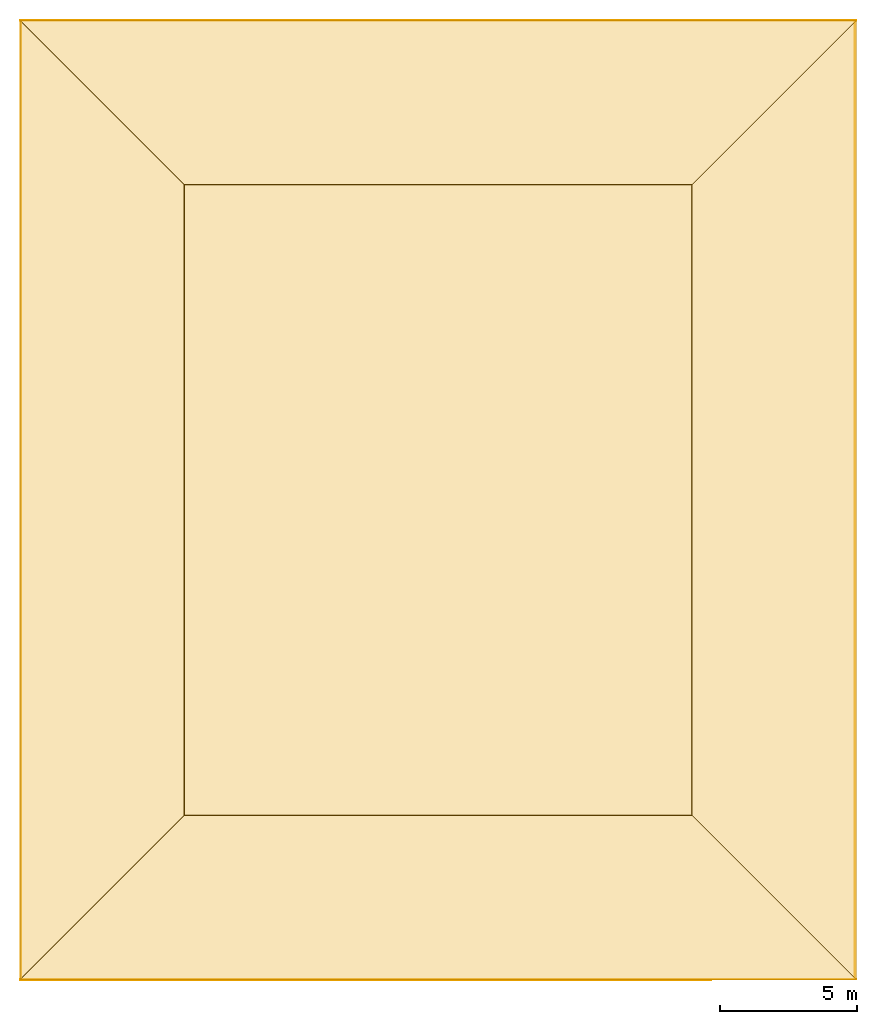
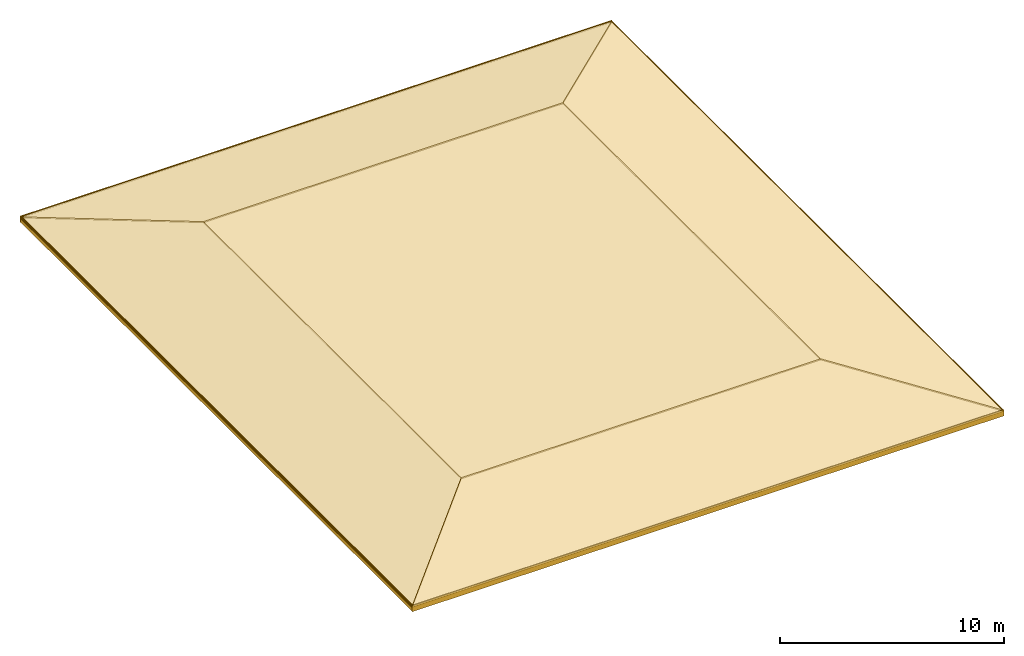
# One storey: 14 coverings.
"""IFC4 building model written with IfcOpenShell, lengths in metres."""

from ifc_helpers import new_model, si_unit, direction, frame, frame_2d, origin, place, context, subcontext, project, spatial, polyline, rectangle, outline, extrude, material, layer, layer_set, type_object, element, save


model = new_model("IFC4")

# Units and contexts
model_context = context("Model", 3, precision=1e-05, world=origin(), true_north=direction((0.0, 1.0)))
body_context = subcontext(model_context, "Body", "Model", "MODEL_VIEW")
ifc_project = project(units=[si_unit("LENGTHUNIT", "METRE"), si_unit("AREAUNIT", "SQUARE_METRE"), si_unit("VOLUMEUNIT", "CUBIC_METRE"), si_unit("PLANEANGLEUNIT", "RADIAN"), si_unit("MASSUNIT", "GRAM", prefix="KILO")], contexts=[model_context])

# Site, building, storey
site_placement = place(None, origin())
site = spatial("IfcSite", under=ifc_project, at=site_placement, CompositionType="ELEMENT")
building_placement = place(site_placement, origin())
building = spatial("IfcBuilding", under=site, at=building_placement, Name="Lantern Court Research Institute", CompositionType="ELEMENT")
storey_placement = place(building_placement, frame((0.0, 0.0, 48.0400390625)))
storey = spatial("IfcBuildingStorey", under=building, at=storey_placement, Name="Roof canopy", CompositionType="ELEMENT", Elevation=48.0400390625)

# Coverings
ifc_material_1 = material(Name="Anodised aluminium", Category="aluminium")
ifc_layer_1 = layer(ifc_material_1, 0.02001953125)
ifc_layer_set_1 = layer_set([ifc_layer_1], Name="Anodised aluminium")
covering_type_1 = type_object("IfcCoveringType", Name="Eaves soffit lining 20 aluminium", PredefinedType="CLADDING", material=ifc_layer_set_1)
covering_1_placement = place(storey_placement, frame((49.800048828125, -8.949951171875, -0.00146484375), z_axis=(0.0, -0.20791968542, 0.978145901394), x_axis=(1.0, 0.0, 0.0)))
element("IfcCovering", 1, at=covering_1_placement, inside=storey, type_object=covering_type_1, Name="Eaves soffit lining V5 1", PredefinedType="CLADDING", context=body_context, shape_type="SweptSolid", body=[
    extrude(outline(polyline([(0.0, 0.0), (30.550048828125, 0.0), (24.550048828125, 6.134054225904585), (6.0, 6.134054225904585), (0.0, 0.0)])), origin(), (0.0, 0.0, -1.0), 0.02001953125),
])
covering_2_placement = place(storey_placement, frame((49.800048828125, 26.10009765625, -0.00146484375), z_axis=(0.0, 0.20791968542, 0.978145901394), x_axis=(1.0, 0.0, 0.0)))
element("IfcCovering", 2, at=covering_2_placement, inside=storey, type_object=covering_type_1, Name="Eaves soffit lining V5 2", PredefinedType="CLADDING", context=body_context, shape_type="SweptSolid", body=[
    extrude(outline(polyline([(0.0, 0.0), (30.550048828125, 0.0), (24.550048828125, -6.134054225904585), (6.0, -6.134054225904585), (0.0, 0.0)])), origin(), (0.0, 0.0, -1.0), 0.02001953125),
])
covering_3_placement = place(storey_placement, frame((49.800048828125, -8.949951171875, -0.00146484375), z_axis=(-0.20791968542, 0.0, 0.978145901394), x_axis=(0.0, 1.0, 0.0)))
element("IfcCovering", 3, at=covering_3_placement, inside=storey, type_object=covering_type_1, Name="Eaves soffit lining V5 3", PredefinedType="CLADDING", context=body_context, shape_type="SweptSolid", body=[
    extrude(outline(polyline([(0.0, 0.0), (35.050048828125, 0.0), (29.050048828125, -6.134054225904585), (6.0, -6.134054225904585), (0.0, 0.0)])), origin(), (0.0, 0.0, -1.0), 0.02001953125),
])
covering_4_placement = place(storey_placement, frame((80.35009765625, -8.949951171875, -0.00146484375), z_axis=(0.20791968542, 0.0, 0.978145901394), x_axis=(0.0, 1.0, 0.0)))
element("IfcCovering", 4, at=covering_4_placement, inside=storey, type_object=covering_type_1, Name="Eaves soffit lining V5 4", PredefinedType="CLADDING", context=body_context, shape_type="SweptSolid", body=[
    extrude(outline(polyline([(0.0, 0.0), (35.050048828125, 0.0), (29.050048828125, 6.134054225904585), (6.0, 6.134054225904585), (0.0, 0.0)])), origin(), (0.0, 0.0, -1.0), 0.02001953125),
])
covering_5_placement = place(storey_placement, frame((55.800048828125, -2.949951171875, 1.27392578125), z_axis=(0.0, 0.0, 1.0), x_axis=(1.0, 0.0, 0.0)))
element("IfcCovering", 5, at=covering_5_placement, inside=storey, type_object=covering_type_1, Name="Eaves soffit lining V5 5", PredefinedType="CLADDING", context=body_context, shape_type="SweptSolid", body=[
    extrude(outline(polyline([(0.0, 0.0), (18.550048828125, 0.0), (18.550048828125, 23.050048828125), (0.0, 23.050048828125), (0.0, 0.0)])), origin(), (0.0, 0.0, -1.0), 0.02001953125),
])
ifc_material_2 = material(Name="Anodised aluminium", Category="aluminium")
ifc_layer_2 = layer(ifc_material_2, 0.06005859375)
ifc_layer_set_2 = layer_set([ifc_layer_2], Name="Anodised aluminium")
covering_type_2 = type_object("IfcCoveringType", Name="Parasol roof sheet 60 standing-seam aluminium", PredefinedType="ROOFING", material=ifc_layer_set_2)
covering_6_placement = place(storey_placement, frame((49.800048828125, -8.949951171875, 0.06005859375), z_axis=(0.0, -0.207881604704, 0.978153995251), x_axis=(1.0, 0.0, 0.0)))
element("IfcCovering", 6, at=covering_6_placement, inside=storey, type_object=covering_type_2, Name="Parasol roof sheet V5 1", PredefinedType="ROOFING", context=body_context, shape_type="SweptSolid", body=[
    extrude(outline(polyline([(0.0, 0.0), (30.550048828125, 0.0), (24.550048828125, 6.134003468911142), (6.0, 6.134003468911142), (0.0, 0.0)])), origin(), (0.0, 0.0, -1.0), 0.06005859375),
])
covering_7_placement = place(storey_placement, frame((49.800048828125, 26.10009765625, 0.06005859375), z_axis=(0.0, 0.207881604704, 0.978153995251), x_axis=(1.0, 0.0, 0.0)))
element("IfcCovering", 7, at=covering_7_placement, inside=storey, type_object=covering_type_2, Name="Parasol roof sheet V5 2", PredefinedType="ROOFING", context=body_context, shape_type="SweptSolid", body=[
    extrude(outline(polyline([(0.0, 0.0), (30.550048828125, 0.0), (24.550048828125, -6.134003468911142), (6.0, -6.134003468911142), (0.0, 0.0)])), origin(), (0.0, 0.0, -1.0), 0.06005859375),
])
covering_8_placement = place(storey_placement, frame((49.800048828125, -8.949951171875, 0.06005859375), z_axis=(-0.207881604704, 0.0, 0.978153995251), x_axis=(0.0, 1.0, 0.0)))
element("IfcCovering", 8, at=covering_8_placement, inside=storey, type_object=covering_type_2, Name="Parasol roof sheet V5 3", PredefinedType="ROOFING", context=body_context, shape_type="SweptSolid", body=[
    extrude(outline(polyline([(0.0, 0.0), (35.050048828125, 0.0), (29.050048828125, -6.134003468911143), (6.0, -6.134003468911143), (0.0, 0.0)])), origin(), (0.0, 0.0, -1.0), 0.06005859375),
])
covering_9_placement = place(storey_placement, frame((80.35009765625, -8.949951171875, 0.06005859375), z_axis=(0.207881604704, 0.0, 0.978153995251), x_axis=(0.0, 1.0, 0.0)))
element("IfcCovering", 9, at=covering_9_placement, inside=storey, type_object=covering_type_2, Name="Parasol roof sheet V5 4", PredefinedType="ROOFING", context=body_context, shape_type="SweptSolid", body=[
    extrude(outline(polyline([(0.0, 0.0), (35.050048828125, 0.0), (29.050048828125, 6.134003468911143), (6.0, 6.134003468911143), (0.0, 0.0)])), origin(), (0.0, 0.0, -1.0), 0.06005859375),
])
covering_10_placement = place(storey_placement, frame((55.800048828125, -2.949951171875, 1.335205078125), z_axis=(0.0, 0.0, 1.0), x_axis=(1.0, 0.0, 0.0)))
element("IfcCovering", 10, at=covering_10_placement, inside=storey, type_object=covering_type_2, Name="Parasol roof sheet V5 5", PredefinedType="ROOFING", context=body_context, shape_type="SweptSolid", body=[
    extrude(outline(polyline([(0.0, 0.0), (18.550048828125, 0.0), (18.550048828125, 23.050048828125), (0.0, 23.050048828125), (0.0, 0.0)])), origin(), (0.0, 0.0, -1.0), 0.06005859375),
])
ifc_material_3 = material(Name="Anodised aluminium", Category="aluminium")
ifc_layer_3 = layer(ifc_material_3, 0.030029296875)
ifc_layer_set_3 = layer_set([ifc_layer_3], Name="Anodised aluminium")
covering_type_3 = type_object("IfcCoveringType", Name="Roof fascia 30 x 300 aluminium", PredefinedType="CLADDING", material=ifc_layer_set_3)
for number, where, z_axis, x_axis, name in (
    (11, (49.800048828125, -8.945068359375, -0.239990234375), (0.0, 0.0, 1.0), (1.0, 0.0, 0.0), "Roof fascia V5 S"),
    (12, (49.800048828125, 26.094970703125, -0.239990234375), (0.0, 0.0, 1.0), (1.0, 0.0, 0.0), "Roof fascia V5 N"),
):
    element("IfcCovering", number, at=place(storey_placement, frame(where, z_axis=z_axis, x_axis=x_axis)), inside=storey, type_object=covering_type_3, Name=name, PredefinedType="CLADDING", context=body_context, shape_type="SweptSolid", body=[
        extrude(rectangle(XDim=30.550048828125, YDim=0.030029296875, at=frame_2d((15.27490234375, 0.0))), origin(), (0.0, 0.0, 1.0), 0.33984375),
    ])
for number, where, z_axis, x_axis, name in (
    (13, (49.8349609375, -8.949951171875, -0.239990234375), (0.0, 0.0, 1.0), (0.0, 1.0, 0.0), "Roof fascia V5 W"),
    (14, (80.31494140625, -8.949951171875, -0.239990234375), (0.0, 0.0, 1.0), (0.0, 1.0, 0.0), "Roof fascia V5 E"),
):
    element("IfcCovering", number, at=place(storey_placement, frame(where, z_axis=z_axis, x_axis=x_axis)), inside=storey, type_object=covering_type_3, Name=name, PredefinedType="CLADDING", context=body_context, shape_type="SweptSolid", body=[
        extrude(rectangle(XDim=35.050048828125, YDim=0.030029296875, at=frame_2d((17.52490234375, 0.0))), origin(), (0.0, 0.0, 1.0), 0.33984375),
    ])

save(model, "model.ifc")
